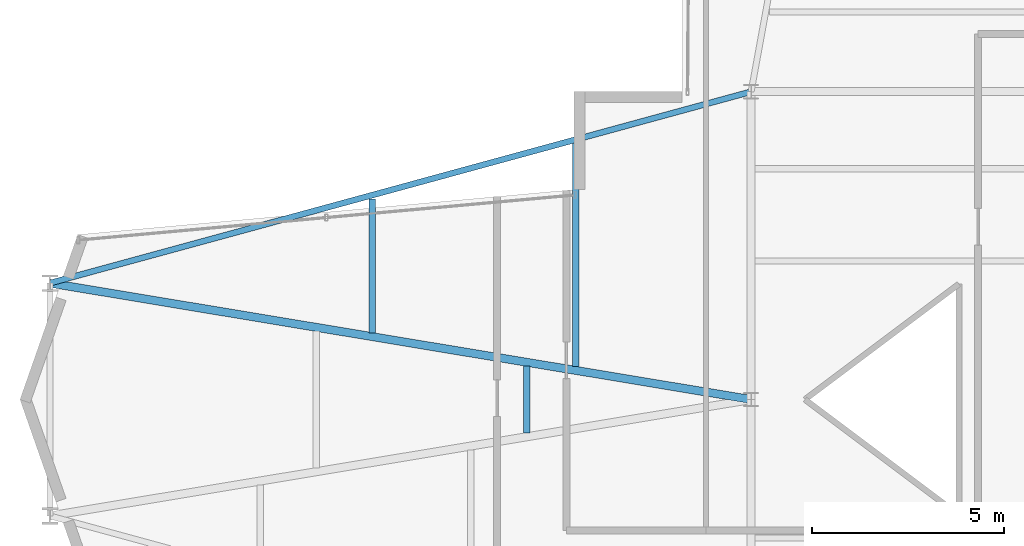
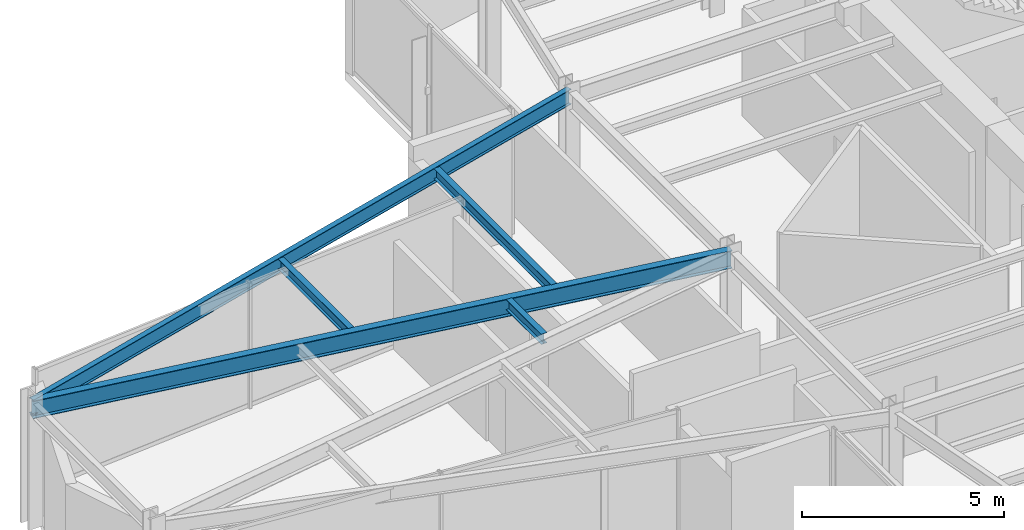
# One storey, part 10 of 23: 5 beams.
"""IFC4 building model written with IfcOpenShell, lengths in metres."""

import ifcopenshell
import ifcopenshell.guid

model = None  # the IFC model being written
_history = None  # IfcOwnerHistory: only IFC2X3 demands one
_inside = {}  # id of a spatial element -> (the spatial element, [elements in it])
_under = {}  # id of a project, library or spatial element -> (it, [spatial elements below it])
_declared = {}  # id of a project -> (the project, [libraries it declares])
_typed = {}  # id of a type object -> (the type object, [elements of that type])
_made_of = {}  # id of a material, layer set ... -> (it, [elements and type objects made of it])


def new_model(schema):
    """Start an empty IFC model of exactly this schema.

    Asked for "IFC4X3", IfcOpenShell would pick the latest addendum, in which some entities
    have other attributes; the version numbers below select the first issue.
    IFC2X3 requires an IfcOwnerHistory on every rooted entity: one is made here for all.
    """
    global model, _history
    if schema == "IFC4X3":
        model = ifcopenshell.file(schema_version=(4, 3, 0, 0))
    else:
        model = ifcopenshell.file(schema=schema)
    _inside.clear()
    _under.clear()
    _declared.clear()
    _typed.clear()
    _made_of.clear()
    _history = None
    if model.schema == "IFC2X3":
        org = make("IfcOrganization", Name="unknown")
        user = make(
            "IfcPersonAndOrganization",
            ThePerson=make("IfcPerson", FamilyName="unknown"),
            TheOrganization=org,
        )
        app = make(
            "IfcApplication",
            ApplicationDeveloper=org,
            Version="unknown",
            ApplicationFullName="unknown",
            ApplicationIdentifier="unknown",
        )
        _history = make(
            "IfcOwnerHistory",
            OwningUser=user,
            OwningApplication=app,
            ChangeAction="ADDED",
            CreationDate=0,
        )
    return model


def make(cls, **values):
    """One entity of the class cls with the attributes given. An attribute that is None is left unset."""
    return model.create_entity(
        cls, **{name: value for name, value in values.items() if value is not None}
    )


def rooted(cls, **values):
    """An entity with a GlobalId (a new one), such as an element, a storey or a relation."""
    return make(cls, GlobalId=ifcopenshell.guid.new(), OwnerHistory=_history, **values)


def si_unit(unit_type, name, prefix=None):
    """IfcSIUnit, for example si_unit("LENGTHUNIT", "METRE", prefix="MILLI")."""
    return make("IfcSIUnit", UnitType=unit_type, Prefix=prefix, Name=name)


def assignment(units):
    """IfcUnitAssignment: the units of a project."""
    return None if units is None else make("IfcUnitAssignment", Units=units)


def point(xyz):
    """IfcCartesianPoint."""
    return None if xyz is None else make("IfcCartesianPoint", Coordinates=xyz)


def direction(xyz):
    """IfcDirection."""
    return None if xyz is None else make("IfcDirection", DirectionRatios=xyz)


def frame(location, z_axis=None, x_axis=None):
    """IfcAxis2Placement3D, a coordinate frame: its origin and axes. An axis left out is left unset."""
    return make(
        "IfcAxis2Placement3D",
        Location=point(location),
        Axis=direction(z_axis),
        RefDirection=direction(x_axis),
    )


def frame_2d(location, x_axis=None):
    """IfcAxis2Placement2D, a coordinate frame in the plane: its origin and x axis."""
    return make(
        "IfcAxis2Placement2D", Location=point(location), RefDirection=direction(x_axis)
    )


def origin():
    """The frame at (0, 0, 0) with its axes left unset."""
    return frame((0.0, 0.0, 0.0))


def origin_2d():
    """The frame at (0, 0) in the plane with its x axis left unset."""
    return frame_2d((0.0, 0.0))


def place(relative_to, where):
    """IfcLocalPlacement: puts the frame where relative to a parent placement (None: the world)."""
    return make(
        "IfcLocalPlacement", PlacementRelTo=relative_to, RelativePlacement=where
    )


def context(
    kind, dimensions, precision=None, world=None, true_north=None, identifier=None
):
    """IfcGeometricRepresentationContext, for example the 3D "Model" context."""
    return make(
        "IfcGeometricRepresentationContext",
        ContextIdentifier=identifier,
        ContextType=kind,
        CoordinateSpaceDimension=dimensions,
        Precision=precision,
        WorldCoordinateSystem=world,
        TrueNorth=true_north,
    )


def subcontext(parent, identifier, kind, view, scale=None):
    """IfcGeometricRepresentationSubContext, for example "Body" below "Model"."""
    return make(
        "IfcGeometricRepresentationSubContext",
        ContextIdentifier=identifier,
        ContextType=kind,
        ParentContext=parent,
        TargetScale=scale,
        TargetView=view,
    )


def project(units=None, contexts=None):
    """IfcProject with its units and contexts."""
    return rooted(
        "IfcProject",
        Name="project",
        RepresentationContexts=contexts,
        UnitsInContext=assignment(units),
    )


def spatial(cls, under=None, at=None, **own):
    """A site, building, storey or space (cls), placed at a placement, below another one or the project."""
    s = rooted(cls, ObjectPlacement=at, **own)
    if under is not None:
        _under.setdefault(under.id(), (under, []))[1].append(s)
    return s


def profile(cls, at=None, kind="AREA", **sizes):
    """A parametric profile (cls). Its sizes go by their IFC names, for example OverallWidth=200.0."""
    return make(cls, ProfileType=kind, Position=at, **sizes)


def i_section(**sizes):
    """IfcIShapeProfileDef."""
    return profile("IfcIShapeProfileDef", **sizes)


def extrude(swept, where, along, depth):
    """IfcExtrudedAreaSolid: the profile swept, set in the frame where, extruded along a direction by depth."""
    return make(
        "IfcExtrudedAreaSolid",
        SweptArea=swept,
        Position=where,
        ExtrudedDirection=direction(along),
        Depth=depth,
    )


def shape(context_of_items, identifier, shape_type, items):
    """IfcShapeRepresentation: the items that make up one representation, for example the "Body"."""
    return make(
        "IfcShapeRepresentation",
        ContextOfItems=context_of_items,
        RepresentationIdentifier=identifier,
        RepresentationType=shape_type,
        Items=items,
    )


def material(Name=None, Category=None):
    """IfcMaterial."""
    return make("IfcMaterial", Name=Name, Category=Category)


def material_profile(
    of_material, cross_section, Name=None, Category=None, Priority=None
):
    """IfcMaterialProfile: a cross section and its material."""
    return make(
        "IfcMaterialProfile",
        Name=Name,
        Material=of_material,
        Profile=cross_section,
        Priority=Priority,
        Category=Category,
    )


def profile_set(profiles, Name=None, composite=None):
    """IfcMaterialProfileSet."""
    return make(
        "IfcMaterialProfileSet",
        Name=Name,
        MaterialProfiles=profiles,
        CompositeProfile=composite,
    )


def made_of(thing, what):
    """Note that an element or type object is made of a material, layer set ...; save() writes the relation."""
    if what is not None:
        _made_of.setdefault(what.id(), (what, []))[1].append(thing)
    return thing


def type_object(cls, material=None, **own):
    """A type object (cls), such as IfcWallType, which elements share."""
    return made_of(rooted(cls, **own), material)


def element(
    cls,
    number,
    at=None,
    inside=None,
    cuts=None,
    type_object=None,
    material=None,
    context=None,
    identifier="Body",
    shape_type=None,
    held_by="IfcProductDefinitionShape",
    body=None,
    shapes=None,
    **own,
):
    """One element of the class cls, such as IfcWall. Its Tag is "e" and its number.

    at: its placement. inside: the storey or other place that contains it. cuts: it is an
    opening in that element (IfcRelVoidsElement). A single representation is given by context,
    identifier, shape_type and body (its items); several are given by shapes. held_by: the class
    of the entity that holds the representations. save() writes the other relations.
    """
    e = rooted(cls, Tag="e%d" % number, ObjectPlacement=at, **own)
    if body is not None:
        shapes = [shape(context, identifier, shape_type, body)]
    if shapes is not None:
        e.Representation = make(held_by, Representations=shapes)
    if inside is not None:
        _inside.setdefault(inside.id(), (inside, []))[1].append(e)
    if cuts is not None:
        rooted(
            "IfcRelVoidsElement", RelatingBuildingElement=cuts, RelatedOpeningElement=e
        )
    if type_object is not None:
        _typed.setdefault(type_object.id(), (type_object, []))[1].append(e)
    return made_of(e, material)


def aggregate(whole, parts):
    """IfcRelAggregates: a whole, such as a stair, and the parts it consists of."""
    return rooted("IfcRelAggregates", RelatingObject=whole, RelatedObjects=parts)


def save(model, path):
    """Write the relations noted so far, then the file.

    IfcRelAggregates (storeys below a building ...), IfcRelContainedInSpatialStructure (elements
    in a storey), IfcRelDefinesByType, IfcRelAssociatesMaterial and IfcRelDeclares: one each for
    every whole, place, type object, material and project.
    """
    for whole, parts in _under.values():
        aggregate(whole, parts)
    for where, things in _inside.values():
        rooted(
            "IfcRelContainedInSpatialStructure",
            RelatedElements=things,
            RelatingStructure=where,
        )
    for kind, things in _typed.values():
        rooted("IfcRelDefinesByType", RelatedObjects=things, RelatingType=kind)
    for what, things in _made_of.values():
        rooted("IfcRelAssociatesMaterial", RelatedObjects=things, RelatingMaterial=what)
    for by, libraries in _declared.values():
        rooted("IfcRelDeclares", RelatingContext=by, RelatedDefinitions=libraries)
    model.write(path)


model = new_model("IFC4")

# Units and contexts
model_context = context("Model", 3, precision=1e-05, world=origin(), true_north=direction((0.0, 1.0)))
body_context = subcontext(model_context, "Body", "Model", "MODEL_VIEW")
ifc_project = project(units=[si_unit("LENGTHUNIT", "METRE"), si_unit("AREAUNIT", "SQUARE_METRE"), si_unit("VOLUMEUNIT", "CUBIC_METRE"), si_unit("PLANEANGLEUNIT", "RADIAN"), si_unit("MASSUNIT", "GRAM", prefix="KILO")], contexts=[model_context])

# Site, building, storey
site_placement = place(None, origin())
site = spatial("IfcSite", under=ifc_project, at=site_placement, CompositionType="ELEMENT")
building_placement = place(site_placement, origin())
building = spatial("IfcBuilding", under=site, at=building_placement, Name="Veymaron Broadcast Tower", CompositionType="ELEMENT")
storey_placement = place(building_placement, frame((0.0, 0.0, 195.89990234375)))
storey = spatial("IfcBuildingStorey", under=building, at=storey_placement, Name="L45", CompositionType="ELEMENT", Elevation=195.89990234375)

# Beams
ifc_material = material(Name="Structural steel ASTM A992 Gr 50", Category="steel")
ifc_material_profile_1 = material_profile(ifc_material, i_section(OverallWidth=0.2099609375, OverallDepth=0.537109375, WebThickness=0.010986328125, FlangeThickness=0.017333984375, at=origin_2d()), Name="W530X101")
ifc_profile_set_1 = profile_set([ifc_material_profile_1], Name="Structural steel ASTM A992 Gr 50")
beam_type_1 = type_object("IfcBeamType", Name="BM-FG3", PredefinedType="BEAM", material=ifc_profile_set_1)
beam_1_placement = place(storey_placement, frame((12.97509765625, 27.02490234375, 3.521484375), z_axis=(0.986504066629, -0.163736759843, 0.0), x_axis=(0.163736759843, 0.986504066629, 0.0)))
element("IfcBeam", 1, at=beam_1_placement, inside=storey, type_object=beam_type_1, Name="L45 primary structural floor girder", PredefinedType="BEAM", context=body_context, shape_type="SweptSolid", body=[
    extrude(i_section(OverallWidth=0.2099609375, OverallDepth=0.537109375, WebThickness=0.010986328125, FlangeThickness=0.017333984375, at=origin_2d()), origin(), (0.0, 0.0, 1.0), 18.47412109375),
])
ifc_material_profile_2 = material_profile(ifc_material, i_section(OverallWidth=0.1650390625, OverallDepth=0.31005859375, WebThickness=0.005859375, FlangeThickness=0.009765625, at=origin_2d()), Name="W310X39")
ifc_profile_set_2 = profile_set([ifc_material_profile_2], Name="Structural steel ASTM A992 Gr 50")
beam_type_2 = type_object("IfcBeamType", Name="BM-JS3", PredefinedType="JOIST", material=ifc_profile_set_2)
beam_2_placement = place(storey_placement, frame((21.3583984375, 25.7333984375, 3.635009765625), z_axis=(0.0, 1.0, 0.0), x_axis=(-1.0, 0.0, 0.0)))
element("IfcBeam", 2, at=beam_2_placement, inside=storey, type_object=beam_type_2, Name="L45 Arm-A secondary joist 1N", PredefinedType="JOIST", context=body_context, shape_type="SweptSolid", body=[
    extrude(i_section(OverallWidth=0.1650390625, OverallDepth=0.31005859375, WebThickness=0.005859375, FlangeThickness=0.009765625, at=origin_2d()), origin(), (0.0, 0.0, 1.0), 3.47998046875),
])
beam_3_placement = place(storey_placement, frame((25.367919921875, 23.132080078125, 3.635009765625), z_axis=(0.0, 1.0, 0.0), x_axis=(-1.0, 0.0, 0.0)))
element("IfcBeam", 3, at=beam_3_placement, inside=storey, type_object=beam_type_2, Name="L45 Arm-A secondary joist 2M", PredefinedType="JOIST", context=body_context, shape_type="SweptSolid", body=[
    extrude(i_section(OverallWidth=0.1650390625, OverallDepth=0.31005859375, WebThickness=0.005859375, FlangeThickness=0.009765625, at=origin_2d()), origin(), (0.0, 0.0, 1.0), 1.73583984375),
])
beam_4_placement = place(storey_placement, frame((26.643798828125, 24.856201171875, 3.635009765625), z_axis=(0.0, 1.0, 0.0), x_axis=(-1.0, 0.0, 0.0)))
element("IfcBeam", 4, at=beam_4_placement, inside=storey, type_object=beam_type_2, Name="L45 Arm-A secondary joist 2N", PredefinedType="JOIST", context=body_context, shape_type="SweptSolid", body=[
    extrude(i_section(OverallWidth=0.1650390625, OverallDepth=0.31005859375, WebThickness=0.005859375, FlangeThickness=0.009765625, at=origin_2d()), origin(), (0.0, 0.0, 1.0), 5.800048828125),
])
ifc_material_profile_3 = material_profile(ifc_material, i_section(OverallWidth=0.154052734375, OverallDepth=0.458984375, WebThickness=0.009033203125, FlangeThickness=0.015380859375, at=origin_2d()), Name="W460X68")
ifc_profile_set_3 = profile_set([ifc_material_profile_3], Name="Structural steel ASTM A992 Gr 50")
beam_type_3 = type_object("IfcBeamType", Name="BM-SP2", PredefinedType="SPANDREL", material=ifc_profile_set_3)
beam_5_placement = place(storey_placement, frame((12.97509765625, 27.02490234375, 3.560546875), z_axis=(0.964700867806, 0.263348126353, 0.0), x_axis=(-0.263348126353, 0.964700867806, 0.0)))
element("IfcBeam", 5, at=beam_5_placement, inside=storey, type_object=beam_type_3, Name="L45 primary structural floor girder", PredefinedType="SPANDREL", context=body_context, shape_type="SweptSolid", body=[
    extrude(i_section(OverallWidth=0.154052734375, OverallDepth=0.458984375, WebThickness=0.009033203125, FlangeThickness=0.015380859375, at=origin_2d()), origin(), (0.0, 0.0, 1.0), 18.8916015625),
])

save(model, "model.ifc")
